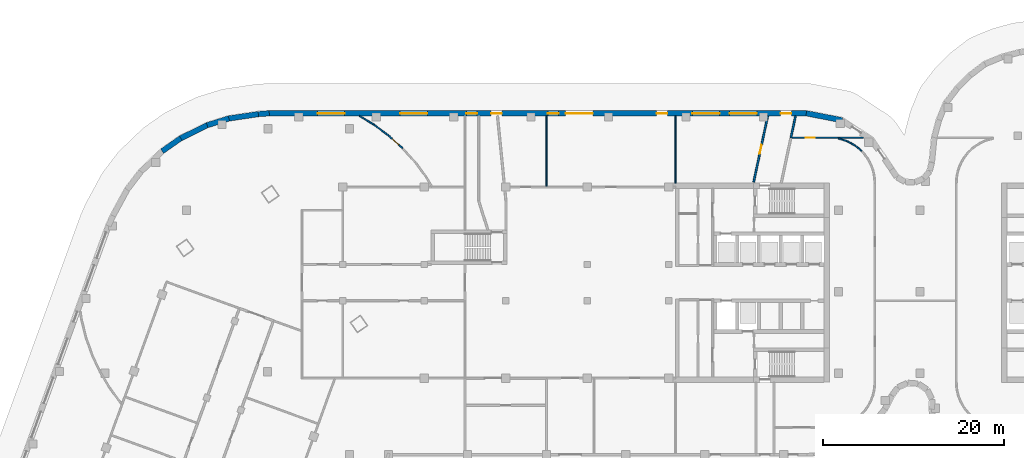
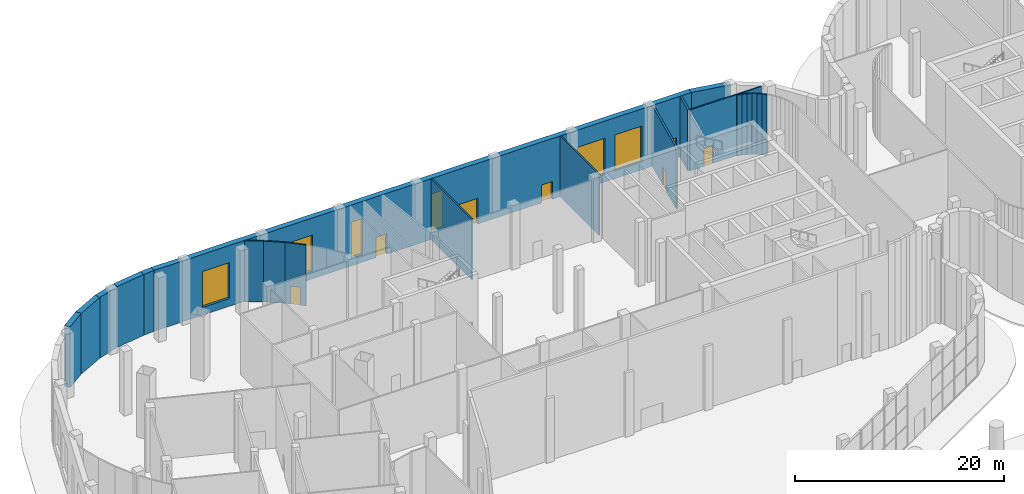
# One storey, part 23 of 30: 21 walls, 7 doors, 6 windows, 13 openings.
"""IFC4 building model written with IfcOpenShell, lengths in metres."""

from ifc_helpers import new_model, si_unit, direction, frame, frame_2d, origin, place, context, subcontext, project, spatial, rectangle, extrude, material, layer, layer_set, type_object, element, fill, save


model = new_model("IFC4")

# Units and contexts
model_context = context("Model", 3, precision=1e-05, world=origin(), true_north=direction((0.0, 1.0)))
body_context = subcontext(model_context, "Body", "Model", "MODEL_VIEW")
ifc_project = project(units=[si_unit("LENGTHUNIT", "METRE"), si_unit("AREAUNIT", "SQUARE_METRE"), si_unit("VOLUMEUNIT", "CUBIC_METRE"), si_unit("PLANEANGLEUNIT", "RADIAN"), si_unit("MASSUNIT", "GRAM", prefix="KILO")], contexts=[model_context])

# Site, building, storey
site_placement = place(None, origin())
site = spatial("IfcSite", under=ifc_project, at=site_placement, CompositionType="ELEMENT")
building_placement = place(site_placement, origin())
building = spatial("IfcBuilding", under=site, at=building_placement, Name="Skarvind Civic Tower", CompositionType="ELEMENT")
storey_placement = place(building_placement, origin())
storey = spatial("IfcBuildingStorey", under=building, at=storey_placement, Name="L00", CompositionType="ELEMENT", Elevation=0.0)

# Wall, opening, door
ifc_material_1 = material(Name="Fire-rated blockwork wall, plastered", Category="masonry")
ifc_layer_1 = layer(ifc_material_1, 0.199951171875)
ifc_layer_set_1 = layer_set([ifc_layer_1], Name="FIRE WALL 200 EI 120")
wall_type_1 = type_object("IfcWallType", Name="FIRE WALL 200 EI 120", PredefinedType="PARTITIONING", material=ifc_layer_set_1)
wall_1_placement = place(storey_placement, frame((99.62890625, 139.110107421875, 0.0), z_axis=(0.0, 0.0, 1.0), x_axis=(0.207857580424, 0.978159100689, 0.0)))
wall_1 = element("IfcWall", 1, at=wall_1_placement, inside=storey, type_object=wall_type_1, Name="Podium partition L00 116", PredefinedType="PARTITIONING", context=body_context, shape_type="SweptSolid", body=[
    extrude(rectangle(XDim=7.45263671875, YDim=0.199951171875, at=frame_2d((3.726318359375, 0.0))), origin(), (0.0, 0.0, 1.0), 7.10009765625),
])
opening_1_placement = place(wall_1_placement, frame((3.176025390625, 0.0, 0.0)))
opening_1 = element("IfcOpeningElement", 2, at=opening_1_placement, cuts=wall_1, Name="Opening L00-D226", PredefinedType="OPENING", context=body_context, shape_type="SweptSolid", body=[
    extrude(rectangle(XDim=1.0, YDim=2.10009765625, at=frame_2d((0.5, 1.050048828125))), frame((0.0, 0.10986328125, 0.0), z_axis=(0.0, -1.0, 0.0), x_axis=(1.0, 0.0, 0.0)), (0.0, 0.0, 1.0), 0.219970703125),
])
ifc_material_2 = material(Name="Painted steel fire door leaf", Category="steel")
door_type_1 = type_object("IfcDoorType", Name="FIRE DOOR 1000X2100 STEEL", OperationType="NOTDEFINED", PredefinedType="DOOR", material=ifc_material_2)
door_1_placement = place(opening_1_placement, origin())
door_1 = element("IfcDoor", 3, at=door_1_placement, inside=storey, type_object=door_type_1, Name="FIRE DOOR", OperationType="SINGLE_SWING_RIGHT", OverallHeight=2.10009765625, OverallWidth=1.0, PredefinedType="DOOR", context=body_context, shape_type="SweptSolid", body=[
    extrude(rectangle(XDim=1.0, YDim=2.10009765625, at=frame_2d((0.5, 1.050048828125))), frame((0.0, 0.02490234375, 0.0), z_axis=(0.0, -1.0, 0.0), x_axis=(1.0, 0.0, 0.0)), (0.0, 0.0, 1.0), 0.050048828125),
])
fill(opening_1, door_1)

# Walls
wall_2_placement = place(storey_placement, frame((103.735107421875, 144.0, 0.0), z_axis=(0.0, 0.0, 1.0), x_axis=(0.207870656807, 0.978156321882, 0.0)))
element("IfcWall", 4, at=wall_2_placement, inside=storey, type_object=wall_type_1, Name="Podium partition L00 123", PredefinedType="PARTITIONING", context=body_context, shape_type="SweptSolid", body=[
    extrude(rectangle(XDim=2.45361328125, YDim=0.199951171875, at=frame_2d((1.226806640625, 0.0))), origin(), (0.0, 0.0, 1.0), 7.10009765625),
])
ifc_material_3 = material(Name="Plasterboard partition on steel studs", Category="steel")
ifc_layer_2 = layer(ifc_material_3, 0.14990234375)
ifc_layer_set_2 = layer_set([ifc_layer_2], Name="PARTITION 150")
wall_type_2 = type_object("IfcWallType", Name="PARTITION 150", PredefinedType="PARTITIONING", material=ifc_layer_set_2)
wall_3_placement = place(storey_placement, frame((56.10009765625, 146.39990234375, 0.0), z_axis=(0.0, 0.0, 1.0), x_axis=(0.857728238456, -0.514103364076, 0.0)))
element("IfcWall", 5, at=wall_3_placement, inside=storey, type_object=wall_type_2, Name="Podium partition L00 088", PredefinedType="PARTITIONING", context=body_context, shape_type="SweptSolid", body=[
    extrude(rectangle(XDim=1.830322265625, YDim=0.14990234375, at=frame_2d((0.9150390625, 0.0))), origin(), (0.0, 0.0, 1.0), 7.10009765625),
])
wall_4_placement = place(storey_placement, frame((57.6640625, 145.462890625, 0.0), z_axis=(0.0, 0.0, 1.0), x_axis=(0.80317638599, -0.595741297031, 0.0)))
element("IfcWall", 6, at=wall_4_placement, inside=storey, type_object=wall_type_2, Name="Podium partition L00 089", PredefinedType="PARTITIONING", context=body_context, shape_type="SweptSolid", body=[
    extrude(rectangle(XDim=2.06787109375, YDim=0.14990234375, at=frame_2d((1.033935546875, 0.0))), origin(), (0.0, 0.0, 1.0), 7.10009765625),
])

# Wall, opening, door
wall_5_placement = place(storey_placement, frame((59.319091796875, 144.235107421875, 0.0), z_axis=(0.0, 0.0, 1.0), x_axis=(0.741242052621, -0.671237826278, 0.0)))
wall_5 = element("IfcWall", 7, at=wall_5_placement, inside=storey, type_object=wall_type_2, Name="Podium partition L00 092", PredefinedType="PARTITIONING", context=body_context, shape_type="SweptSolid", body=[
    extrude(rectangle(XDim=2.068115234375, YDim=0.14990234375, at=frame_2d((1.0341796875, 0.0))), origin(), (0.0, 0.0, 1.0), 7.10009765625),
])
opening_2_placement = place(wall_5_placement, frame((0.533935546875, 0.0, 0.0)))
opening_2 = element("IfcOpeningElement", 8, at=opening_2_placement, cuts=wall_5, Name="Opening L00-D215", PredefinedType="OPENING", context=body_context, shape_type="SweptSolid", body=[
    extrude(rectangle(XDim=1.0, YDim=2.10009765625, at=frame_2d((0.5, 1.050048828125))), frame((0.0, 0.0849609375, 0.0), z_axis=(0.0, -1.0, 0.0), x_axis=(1.0, 0.0, 0.0)), (0.0, 0.0, 1.0), 0.169921875),
])
ifc_material_4 = material(Name="Timber veneer door leaf", Category="wood")
door_type_2 = type_object("IfcDoorType", Name="DOOR 1000X2100 TIMBER", OperationType="NOTDEFINED", PredefinedType="DOOR", material=ifc_material_4)
door_2_placement = place(opening_2_placement, origin())
door_2 = element("IfcDoor", 9, at=door_2_placement, inside=storey, type_object=door_type_2, Name="DOOR DOOR", OperationType="SINGLE_SWING_RIGHT", OverallHeight=2.10009765625, OverallWidth=1.0, PredefinedType="DOOR", context=body_context, shape_type="SweptSolid", body=[
    extrude(rectangle(XDim=1.0, YDim=2.10009765625, at=frame_2d((0.5, 1.050048828125))), frame((0.0, 0.02490234375, 0.0), z_axis=(0.0, -1.0, 0.0), x_axis=(1.0, 0.0, 0.0)), (0.0, 0.0, 1.0), 0.050048828125),
])
fill(opening_2, door_2)

# Walls
wall_6_placement = place(storey_placement, frame((76.75, 138.625, 0.0), z_axis=(0.0, 0.0, 1.0), x_axis=(0.0, 1.0, 0.0)))
element("IfcWall", 10, at=wall_6_placement, inside=storey, type_object=wall_type_2, Name="Podium partition L00 111", PredefinedType="PARTITIONING", context=body_context, shape_type="SweptSolid", body=[
    extrude(rectangle(XDim=7.77490234375, YDim=0.14990234375, at=frame_2d((3.887451171875, 0.0))), origin(), (0.0, 0.0, 1.0), 7.10009765625),
])
wall_7_placement = place(storey_placement, frame((91.0, 139.0, 0.0), z_axis=(0.0, 0.0, 1.0), x_axis=(0.0, 1.0, 0.0)))
element("IfcWall", 11, at=wall_7_placement, inside=storey, type_object=wall_type_2, Name="Podium partition L00 114", PredefinedType="PARTITIONING", context=body_context, shape_type="SweptSolid", body=[
    extrude(rectangle(XDim=7.39990234375, YDim=0.14990234375, at=frame_2d((3.699951171875, 0.0))), origin(), (0.0, 0.0, 1.0), 7.10009765625),
])

# Wall, opening, door
wall_8_placement = place(storey_placement, frame((111.743896484375, 144.0, 0.0), z_axis=(0.0, 0.0, 1.0), x_axis=(-1.0, 0.0, 0.0)))
wall_8 = element("IfcWall", 12, at=wall_8_placement, inside=storey, type_object=wall_type_2, Name="Podium partition L00 124", PredefinedType="PARTITIONING", context=body_context, shape_type="SweptSolid", body=[
    extrude(rectangle(XDim=7.906982421875, YDim=0.14990234375, at=frame_2d((3.95361328125, 0.0))), origin(), (0.0, 0.0, 1.0), 7.10009765625),
])
opening_3_placement = place(wall_8_placement, frame((5.3759765625, 0.0, 0.0)))
opening_3 = element("IfcOpeningElement", 13, at=opening_3_placement, cuts=wall_8, Name="Opening L00-D230", PredefinedType="OPENING", context=body_context, shape_type="SweptSolid", body=[
    extrude(rectangle(XDim=1.0, YDim=2.10009765625, at=frame_2d((0.5, 1.050048828125))), frame((0.0, 0.0849609375, 0.0), z_axis=(0.0, -1.0, 0.0), x_axis=(1.0, 0.0, 0.0)), (0.0, 0.0, 1.0), 0.169921875),
])
door_3_placement = place(opening_3_placement, origin())
door_3 = element("IfcDoor", 14, at=door_3_placement, inside=storey, type_object=door_type_2, Name="DOOR DOOR", OperationType="SINGLE_SWING_RIGHT", OverallHeight=2.10009765625, OverallWidth=1.0, PredefinedType="DOOR", context=body_context, shape_type="SweptSolid", body=[
    extrude(rectangle(XDim=1.0, YDim=2.10009765625, at=frame_2d((0.5, 1.050048828125))), frame((0.0, 0.02490234375, 0.0), z_axis=(0.0, -1.0, 0.0), x_axis=(1.0, 0.0, 0.0)), (0.0, 0.0, 1.0), 0.050048828125),
])
fill(opening_3, door_3)

# Walls
wall_9_placement = place(storey_placement, frame((108.970947265625, 143.905029296875, 0.0), z_axis=(0.0, 0.0, 1.0), x_axis=(0.970113715952, -0.242650732785, 0.0)))
element("IfcWall", 15, at=wall_9_placement, inside=storey, type_object=wall_type_2, Name="Podium partition L00 137", PredefinedType="PARTITIONING", context=body_context, shape_type="SweptSolid", body=[
    extrude(rectangle(XDim=0.4990234375, YDim=0.14990234375, at=frame_2d((0.24951171875, 0.0))), origin(), (0.0, 0.0, 1.0), 7.10009765625),
])
for number, where, z_axis, x_axis, name in (
    (16, (109.447021484375, 143.785888671875, 0.0), (0.0, 0.0, 1.0), (0.941442168887, -0.3371744988, 0.0), "Podium partition L00 139"),
    (17, (109.909912109375, 143.62109375, 0.0), (0.0, 0.0, 1.0), (0.903827641978, -0.427896709028, 0.0), "Podium partition L00 142"),
):
    element("IfcWall", number, at=place(storey_placement, frame(where, z_axis=z_axis, x_axis=x_axis)), inside=storey, type_object=wall_type_2, Name=name, PredefinedType="PARTITIONING", context=body_context, shape_type="SweptSolid", body=[
        extrude(rectangle(XDim=0.498046875, YDim=0.14990234375, at=frame_2d((0.2490234375, 0.0))), origin(), (0.0, 0.0, 1.0), 7.10009765625),
    ])
wall_10_placement = place(storey_placement, frame((110.35400390625, 143.412109375, 0.0), z_axis=(0.0, 0.0, 1.0), x_axis=(0.85671397893, -0.515791778052, 0.0)))
element("IfcWall", 18, at=wall_10_placement, inside=storey, type_object=wall_type_2, Name="Podium partition L00 144", PredefinedType="PARTITIONING", context=body_context, shape_type="SweptSolid", body=[
    extrude(rectangle(XDim=0.49853515625, YDim=0.14990234375, at=frame_2d((0.249267578125, 0.0))), origin(), (0.0, 0.0, 1.0), 7.10009765625),
])
wall_11_placement = place(storey_placement, frame((110.77490234375, 143.158935546875, 0.0), z_axis=(0.0, 0.0, 1.0), x_axis=(0.80404358372, -0.594570362092, 0.0)))
element("IfcWall", 19, at=wall_11_placement, inside=storey, type_object=wall_type_2, Name="Podium partition L00 147", PredefinedType="PARTITIONING", context=body_context, shape_type="SweptSolid", body=[
    extrude(rectangle(XDim=0.49755859375, YDim=0.14990234375, at=frame_2d((0.248779296875, 0.0))), origin(), (0.0, 0.0, 1.0), 7.10009765625),
])
wall_12_placement = place(storey_placement, frame((111.1689453125, 142.866943359375, 0.0), z_axis=(0.0, 0.0, 1.0), x_axis=(0.742416880587, -0.66993818776, 0.0)))
element("IfcWall", 20, at=wall_12_placement, inside=storey, type_object=wall_type_2, Name="Podium partition L00 150", PredefinedType="PARTITIONING", context=body_context, shape_type="SweptSolid", body=[
    extrude(rectangle(XDim=0.49853515625, YDim=0.14990234375, at=frame_2d((0.249267578125, 0.0))), origin(), (0.0, 0.0, 1.0), 7.10009765625),
])
ifc_material_5 = material(Name="Limestone masonry cladding on insulated backing", Category="masonry")
ifc_layer_3 = layer(ifc_material_5, 0.60009765625)
ifc_layer_set_3 = layer_set([ifc_layer_3], Name="WX1 STONE FACADE WALL 600")
wall_type_3 = type_object("IfcWallType", Name="WX1 STONE FACADE WALL 600", PredefinedType="SOLIDWALL", material=ifc_layer_set_3)
wall_13_placement = place(storey_placement, frame((105.4404296875, 146.70166015625, 0.0), z_axis=(0.0, 0.0, 1.0), x_axis=(0.981593603981, -0.190981665674, 0.0)))
element("IfcWall", 21, at=wall_13_placement, inside=storey, type_object=wall_type_3, Name="STONE FACADE WALL", PredefinedType="SOLIDWALL", context=body_context, shape_type="SweptSolid", body=[
    extrude(rectangle(XDim=4.025390625, YDim=0.60009765625, at=frame_2d((2.0126953125, 0.0))), origin(), (0.0, 0.0, 1.0), 7.10009765625),
])
wall_14_placement = place(storey_placement, frame((44.922607421875, 146.611083984375, 0.0), z_axis=(0.0, 0.0, 1.0), x_axis=(0.997284700817, 0.073642552354, 0.0)))
element("IfcWall", 22, at=wall_14_placement, inside=storey, type_object=wall_type_3, Name="STONE FACADE WALL", PredefinedType="SOLIDWALL", context=body_context, shape_type="SweptSolid", body=[
    extrude(rectangle(XDim=1.216796875, YDim=0.60009765625, at=frame_2d((0.6083984375, 0.0))), origin(), (0.0, 0.0, 1.0), 7.10009765625),
])
wall_15_placement = place(storey_placement, frame((41.63232421875, 146.120849609375, 0.0), z_axis=(0.0, 0.0, 1.0), x_axis=(0.989117960185, 0.14712464389, 0.0)))
element("IfcWall", 23, at=wall_15_placement, inside=storey, type_object=wall_type_3, Name="STONE FACADE WALL", PredefinedType="SOLIDWALL", context=body_context, shape_type="SweptSolid", body=[
    extrude(rectangle(XDim=3.3486328125, YDim=0.60009765625, at=frame_2d((1.67431640625, 0.0))), origin(), (0.0, 0.0, 1.0), 7.10009765625),
])
wall_16_placement = place(storey_placement, frame((39.279541015625, 145.384033203125, 0.0), z_axis=(0.0, 0.0, 1.0), x_axis=(0.954711451083, 0.297533267335, 0.0)))
element("IfcWall", 24, at=wall_16_placement, inside=storey, type_object=wall_type_3, Name="STONE FACADE WALL", PredefinedType="SOLIDWALL", context=body_context, shape_type="SweptSolid", body=[
    extrude(rectangle(XDim=2.51171875, YDim=0.60009765625, at=frame_2d((1.255859375, 0.0))), origin(), (0.0, 0.0, 1.0), 7.10009765625),
])
wall_17_placement = place(storey_placement, frame((36.323486328125, 143.928466796875, 0.0), z_axis=(0.0, 0.0, 1.0), x_axis=(0.897590342017, 0.440830554656, 0.0)))
element("IfcWall", 25, at=wall_17_placement, inside=storey, type_object=wall_type_3, Name="STONE FACADE WALL", PredefinedType="SOLIDWALL", context=body_context, shape_type="SweptSolid", body=[
    extrude(rectangle(XDim=3.34130859375, YDim=0.60009765625, at=frame_2d((1.670654296875, 0.0))), origin(), (0.0, 0.0, 1.0), 7.10009765625),
])
wall_18_placement = place(storey_placement, frame((34.305908203125, 142.511474609375, 0.0), z_axis=(0.0, 0.0, 1.0), x_axis=(0.819136010061, 0.57359933492, 0.0)))
element("IfcWall", 26, at=wall_18_placement, inside=storey, type_object=wall_type_3, Name="STONE FACADE WALL", PredefinedType="SOLIDWALL", context=body_context, shape_type="SweptSolid", body=[
    extrude(rectangle(XDim=2.51171875, YDim=0.60009765625, at=frame_2d((1.255859375, 0.0))), origin(), (0.0, 0.0, 1.0), 7.10009765625),
])

# Wall, openings, doors, windows
ifc_layer_4 = layer(ifc_material_5, 0.60009765625)
ifc_layer_set_4 = layer_set([ifc_layer_4], Name="WX1F FIRE-RATED STONE FACADE WALL 600")
wall_type_4 = type_object("IfcWallType", Name="WX1F FIRE-RATED STONE FACADE WALL 600", PredefinedType="SOLIDWALL", material=ifc_layer_set_4)
wall_19_placement = place(storey_placement, frame((46.114013671875, 146.699951171875, 0.0), z_axis=(0.0, 0.0, 1.0), x_axis=(1.0, 0.0, 0.0)))
wall_19 = element("IfcWall", 27, at=wall_19_placement, inside=storey, type_object=wall_type_4, Name="STONE FACADE WALL", PredefinedType="SOLIDWALL", context=body_context, shape_type="SweptSolid", body=[
    extrude(rectangle(XDim=59.3642578125, YDim=0.60009765625, at=frame_2d((29.68212890625, 0.0))), origin(), (0.0, 0.0, 1.0), 7.10009765625),
])
opening_4_placement = place(wall_19_placement, frame((5.349609375, 0.0, 0.89990234375)))
opening_4 = element("IfcOpeningElement", 28, at=opening_4_placement, cuts=wall_19, Name="Opening WN3", PredefinedType="OPENING", context=body_context, shape_type="SweptSolid", body=[
    extrude(rectangle(XDim=3.0, YDim=4.199951171875, at=frame_2d((1.5, 2.10009765625))), frame((0.0, 0.31005859375, 0.0), z_axis=(0.0, -1.0, 0.0), x_axis=(1.0, 0.0, 0.0)), (0.0, 0.0, 1.0), 0.6201171875),
])
opening_5_placement = place(wall_19_placement, frame((14.482666015625, 0.0, 0.89990234375)))
opening_5 = element("IfcOpeningElement", 29, at=opening_5_placement, cuts=wall_19, Name="Opening WN3", PredefinedType="OPENING", context=body_context, shape_type="SweptSolid", body=[
    extrude(rectangle(XDim=3.0, YDim=4.199951171875, at=frame_2d((1.5, 2.10009765625))), frame((0.0, 0.31005859375, 0.0), z_axis=(0.0, -1.0, 0.0), x_axis=(1.0, 0.0, 0.0)), (0.0, 0.0, 1.0), 0.6201171875),
])
opening_6_placement = place(wall_19_placement, frame((21.7861328125, 0.0, 0.89990234375)))
opening_6 = element("IfcOpeningElement", 30, at=opening_6_placement, cuts=wall_19, Name="Opening WN7", PredefinedType="OPENING", context=body_context, shape_type="SweptSolid", body=[
    extrude(rectangle(XDim=1.199951171875, YDim=4.199951171875, at=frame_2d((0.60009765625, 2.10009765625))), frame((0.0, 0.31005859375, 0.0), z_axis=(0.0, -1.0, 0.0), x_axis=(1.0, 0.0, 0.0)), (0.0, 0.0, 1.0), 0.6201171875),
])
opening_7_placement = place(wall_19_placement, frame((24.515625, 0.0, 0.0)))
opening_7 = element("IfcOpeningElement", 31, at=opening_7_placement, cuts=wall_19, Name="Opening DX2", PredefinedType="OPENING", context=body_context, shape_type="SweptSolid", body=[
    extrude(rectangle(XDim=1.199951171875, YDim=2.39990234375, at=frame_2d((0.60009765625, 1.199951171875))), frame((0.0, 0.31005859375, 0.0), z_axis=(0.0, -1.0, 0.0), x_axis=(1.0, 0.0, 0.0)), (0.0, 0.0, 1.0), 0.6201171875),
])
opening_8_placement = place(wall_19_placement, frame((30.7861328125, 0.0, 0.89990234375)))
opening_8 = element("IfcOpeningElement", 32, at=opening_8_placement, cuts=wall_19, Name="Opening WN7", PredefinedType="OPENING", context=body_context, shape_type="SweptSolid", body=[
    extrude(rectangle(XDim=1.199951171875, YDim=4.199951171875, at=frame_2d((0.60009765625, 2.10009765625))), frame((0.0, 0.31005859375, 0.0), z_axis=(0.0, -1.0, 0.0), x_axis=(1.0, 0.0, 0.0)), (0.0, 0.0, 1.0), 0.6201171875),
])
opening_9_placement = place(wall_19_placement, frame((32.74853515625, 0.0, 0.0)))
opening_9 = element("IfcOpeningElement", 33, at=opening_9_placement, cuts=wall_19, Name="Opening DX5", PredefinedType="OPENING", context=body_context, shape_type="SweptSolid", body=[
    extrude(rectangle(XDim=3.0, YDim=3.0, at=frame_2d((1.5, 1.5))), frame((0.0, 0.31005859375, 0.0), z_axis=(0.0, -1.0, 0.0), x_axis=(1.0, 0.0, 0.0)), (0.0, 0.0, 1.0), 0.6201171875),
])
opening_10_placement = place(wall_19_placement, frame((42.781494140625, 0.0, 0.0)))
opening_10 = element("IfcOpeningElement", 34, at=opening_10_placement, cuts=wall_19, Name="Opening DX4", PredefinedType="OPENING", context=body_context, shape_type="SweptSolid", body=[
    extrude(rectangle(XDim=1.199951171875, YDim=2.10009765625, at=frame_2d((0.60009765625, 1.050048828125))), frame((0.0, 0.31005859375, 0.0), z_axis=(0.0, -1.0, 0.0), x_axis=(1.0, 0.0, 0.0)), (0.0, 0.0, 1.0), 0.6201171875),
])
opening_11_placement = place(wall_19_placement, frame((46.748046875, 0.0, 0.89990234375)))
opening_11 = element("IfcOpeningElement", 35, at=opening_11_placement, cuts=wall_19, Name="Opening WN3", PredefinedType="OPENING", context=body_context, shape_type="SweptSolid", body=[
    extrude(rectangle(XDim=3.0, YDim=4.199951171875, at=frame_2d((1.5, 2.10009765625))), frame((0.0, 0.31005859375, 0.0), z_axis=(0.0, -1.0, 0.0), x_axis=(1.0, 0.0, 0.0)), (0.0, 0.0, 1.0), 0.6201171875),
])
opening_12_placement = place(wall_19_placement, frame((50.864501953125, 0.0, 0.89990234375)))
opening_12 = element("IfcOpeningElement", 36, at=opening_12_placement, cuts=wall_19, Name="Opening WN3", PredefinedType="OPENING", context=body_context, shape_type="SweptSolid", body=[
    extrude(rectangle(XDim=3.0, YDim=4.199951171875, at=frame_2d((1.5, 2.10009765625))), frame((0.0, 0.31005859375, 0.0), z_axis=(0.0, -1.0, 0.0), x_axis=(1.0, 0.0, 0.0)), (0.0, 0.0, 1.0), 0.6201171875),
])
opening_13_placement = place(wall_19_placement, frame((56.48095703125, 0.0, 0.0)))
opening_13 = element("IfcOpeningElement", 37, at=opening_13_placement, cuts=wall_19, Name="Opening DX2", PredefinedType="OPENING", context=body_context, shape_type="SweptSolid", body=[
    extrude(rectangle(XDim=1.199951171875, YDim=2.39990234375, at=frame_2d((0.60009765625, 1.199951171875))), frame((0.0, 0.31005859375, 0.0), z_axis=(0.0, -1.0, 0.0), x_axis=(1.0, 0.0, 0.0)), (0.0, 0.0, 1.0), 0.6201171875),
])
ifc_material_6 = material(Name="Timber and glass doorset", Category="wood")
door_type_3 = type_object("IfcDoorType", Name="DX2 EXIT DOOR 1200 x 2400", OperationType="NOTDEFINED", PredefinedType="DOOR", material=ifc_material_6)
door_4_placement = place(opening_7_placement, origin())
door_4 = element("IfcDoor", 38, at=door_4_placement, inside=storey, type_object=door_type_3, Name="EXIT DOOR", OperationType="SINGLE_SWING_LEFT", OverallHeight=2.39990234375, OverallWidth=1.199951171875, PredefinedType="DOOR", context=body_context, shape_type="SweptSolid", body=[
    extrude(rectangle(XDim=1.199951171875, YDim=2.39990234375, at=frame_2d((0.60009765625, 1.199951171875))), frame((0.0, 0.02490234375, 0.0), z_axis=(0.0, -1.0, 0.0), x_axis=(1.0, 0.0, 0.0)), (0.0, 0.0, 1.0), 0.050048828125),
])
fill(opening_7, door_4)
door_5_placement = place(opening_13_placement, origin())
door_5 = element("IfcDoor", 39, at=door_5_placement, inside=storey, type_object=door_type_3, Name="EXIT DOOR", OperationType="SINGLE_SWING_RIGHT", OverallHeight=2.39990234375, OverallWidth=1.199951171875, PredefinedType="DOOR", context=body_context, shape_type="SweptSolid", body=[
    extrude(rectangle(XDim=1.199951171875, YDim=2.39990234375, at=frame_2d((0.60009765625, 1.199951171875))), frame((0.0, 0.02490234375, 0.0), z_axis=(0.0, -1.0, 0.0), x_axis=(1.0, 0.0, 0.0)), (0.0, 0.0, 1.0), 0.050048828125),
])
fill(opening_13, door_5)
ifc_material_7 = material(Name="Steel doorset", Category="steel")
door_type_4 = type_object("IfcDoorType", Name="DX4 SERVICE DOOR 1200 x 2100", OperationType="NOTDEFINED", PredefinedType="DOOR", material=ifc_material_7)
door_6_placement = place(opening_10_placement, origin())
door_6 = element("IfcDoor", 40, at=door_6_placement, inside=storey, type_object=door_type_4, Name="SERVICE DOOR", OperationType="SINGLE_SWING_RIGHT", OverallHeight=2.10009765625, OverallWidth=1.199951171875, PredefinedType="DOOR", context=body_context, shape_type="SweptSolid", body=[
    extrude(rectangle(XDim=1.199951171875, YDim=2.10009765625, at=frame_2d((0.60009765625, 1.050048828125))), frame((0.0, 0.02490234375, 0.0), z_axis=(0.0, -1.0, 0.0), x_axis=(1.0, 0.0, 0.0)), (0.0, 0.0, 1.0), 0.050048828125),
])
fill(opening_10, door_6)
ifc_material_8 = material(Name="Insulated steel sectional door", Category="steel")
door_type_5 = type_object("IfcDoorType", Name="DX5 LOADING DOOR 3000 x 3000", OperationType="NOTDEFINED", PredefinedType="DOOR", material=ifc_material_8)
door_7_placement = place(opening_9_placement, origin())
door_7 = element("IfcDoor", 41, at=door_7_placement, inside=storey, type_object=door_type_5, Name="LOADING DOOR", OperationType="SLIDING_TO_LEFT", OverallHeight=3.0, OverallWidth=3.0, PredefinedType="DOOR", context=body_context, shape_type="SweptSolid", body=[
    extrude(rectangle(XDim=3.0, YDim=3.0, at=frame_2d((1.5, 1.5))), frame((0.0, 0.02490234375, 0.0), z_axis=(0.0, -1.0, 0.0), x_axis=(1.0, 0.0, 0.0)), (0.0, 0.0, 1.0), 0.050048828125),
])
fill(opening_9, door_7)
ifc_material_9 = material(Name="Timber frame, double glazing, timber-lined reveal", Category="wood")
window_type_1 = type_object("IfcWindowType", Name="WN3 GROUND STOREY STONE WINDOW 3000 x 4200", PartitioningType="SINGLE_PANEL", PredefinedType="WINDOW", material=ifc_material_9)
window_1_placement = place(opening_4_placement, origin())
window_1 = element("IfcWindow", 42, at=window_1_placement, inside=storey, type_object=window_type_1, Name="WN3 WINDOW", OverallHeight=4.199951171875, OverallWidth=3.0, PartitioningType="SINGLE_PANEL", PredefinedType="WINDOW", context=body_context, shape_type="SweptSolid", body=[
    extrude(rectangle(XDim=3.0, YDim=4.199951171875, at=frame_2d((1.5, 2.10009765625))), frame((0.0, 0.030029296875, 0.0), z_axis=(0.0, -1.0, 0.0), x_axis=(1.0, 0.0, 0.0)), (0.0, 0.0, 1.0), 0.06005859375),
])
fill(opening_4, window_1)
window_2_placement = place(opening_5_placement, origin())
window_2 = element("IfcWindow", 43, at=window_2_placement, inside=storey, type_object=window_type_1, Name="WN3 WINDOW", OverallHeight=4.199951171875, OverallWidth=3.0, PartitioningType="SINGLE_PANEL", PredefinedType="WINDOW", context=body_context, shape_type="SweptSolid", body=[
    extrude(rectangle(XDim=3.0, YDim=4.199951171875, at=frame_2d((1.5, 2.10009765625))), frame((0.0, 0.030029296875, 0.0), z_axis=(0.0, -1.0, 0.0), x_axis=(1.0, 0.0, 0.0)), (0.0, 0.0, 1.0), 0.06005859375),
])
fill(opening_5, window_2)
window_3_placement = place(opening_11_placement, origin())
window_3 = element("IfcWindow", 44, at=window_3_placement, inside=storey, type_object=window_type_1, Name="WN3 WINDOW", OverallHeight=4.199951171875, OverallWidth=3.0, PartitioningType="SINGLE_PANEL", PredefinedType="WINDOW", context=body_context, shape_type="SweptSolid", body=[
    extrude(rectangle(XDim=3.0, YDim=4.199951171875, at=frame_2d((1.5, 2.10009765625))), frame((0.0, 0.030029296875, 0.0), z_axis=(0.0, -1.0, 0.0), x_axis=(1.0, 0.0, 0.0)), (0.0, 0.0, 1.0), 0.06005859375),
])
fill(opening_11, window_3)
window_4_placement = place(opening_12_placement, origin())
window_4 = element("IfcWindow", 45, at=window_4_placement, inside=storey, type_object=window_type_1, Name="WN3 WINDOW", OverallHeight=4.199951171875, OverallWidth=3.0, PartitioningType="SINGLE_PANEL", PredefinedType="WINDOW", context=body_context, shape_type="SweptSolid", body=[
    extrude(rectangle(XDim=3.0, YDim=4.199951171875, at=frame_2d((1.5, 2.10009765625))), frame((0.0, 0.030029296875, 0.0), z_axis=(0.0, -1.0, 0.0), x_axis=(1.0, 0.0, 0.0)), (0.0, 0.0, 1.0), 0.06005859375),
])
fill(opening_12, window_4)
window_type_2 = type_object("IfcWindowType", Name="WN7 NARROW GROUND STOREY WINDOW 1200 x 4200", PartitioningType="SINGLE_PANEL", PredefinedType="WINDOW", material=ifc_material_9)
window_5_placement = place(opening_6_placement, origin())
window_5 = element("IfcWindow", 46, at=window_5_placement, inside=storey, type_object=window_type_2, Name="WN7 WINDOW", OverallHeight=4.199951171875, OverallWidth=1.199951171875, PartitioningType="SINGLE_PANEL", PredefinedType="WINDOW", context=body_context, shape_type="SweptSolid", body=[
    extrude(rectangle(XDim=1.199951171875, YDim=4.199951171875, at=frame_2d((0.60009765625, 2.10009765625))), frame((0.0, 0.030029296875, 0.0), z_axis=(0.0, -1.0, 0.0), x_axis=(1.0, 0.0, 0.0)), (0.0, 0.0, 1.0), 0.06005859375),
])
fill(opening_6, window_5)
window_6_placement = place(opening_8_placement, origin())
window_6 = element("IfcWindow", 47, at=window_6_placement, inside=storey, type_object=window_type_2, Name="WN7 WINDOW", OverallHeight=4.199951171875, OverallWidth=1.199951171875, PartitioningType="SINGLE_PANEL", PredefinedType="WINDOW", context=body_context, shape_type="SweptSolid", body=[
    extrude(rectangle(XDim=1.199951171875, YDim=4.199951171875, at=frame_2d((0.60009765625, 2.10009765625))), frame((0.0, 0.030029296875, 0.0), z_axis=(0.0, -1.0, 0.0), x_axis=(1.0, 0.0, 0.0)), (0.0, 0.0, 1.0), 0.06005859375),
])
fill(opening_8, window_6)

save(model, "model.ifc")
